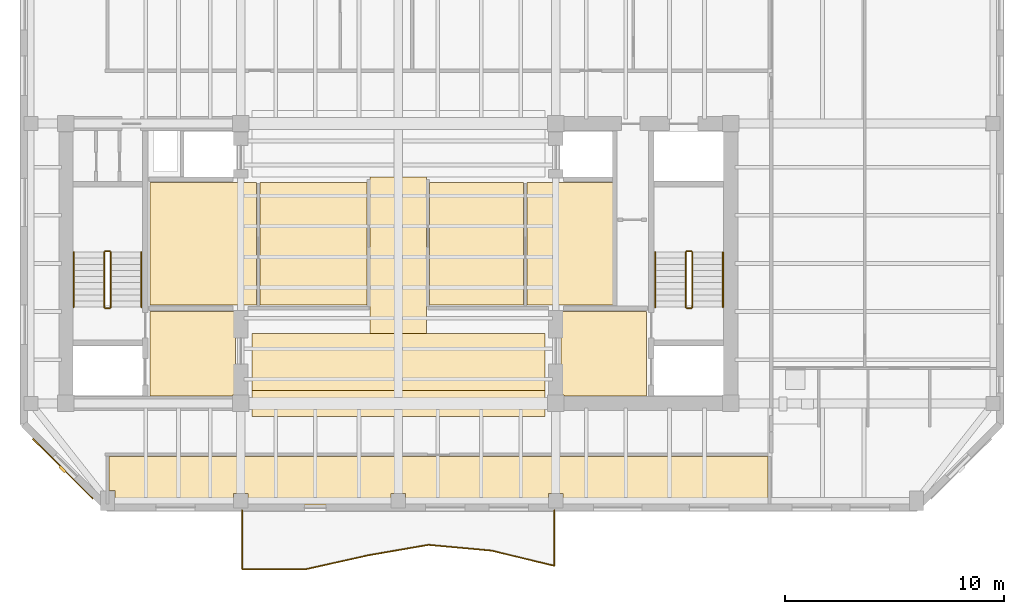
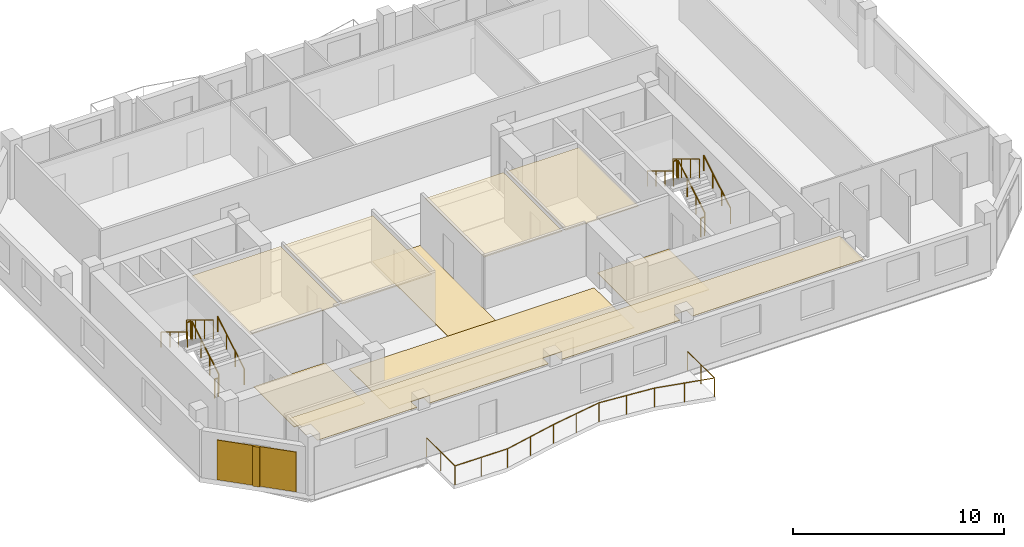
# One storey, part 7 of 9: 13 railings, 11 coverings, 1 shading device.
"""IFC4 building model written with IfcOpenShell, lengths in metres."""

from ifc_helpers import new_model, si_unit, direction, frame, origin, origin_2d, place, context, subcontext, project, spatial, polyline, rectangle, circle, outline, extrude, material, layer, layer_set, type_object, element, save


model = new_model("IFC4")

# Units and contexts
model_context = context("Model", 3, precision=1e-05, world=origin(), true_north=direction((0.0, 1.0)))
body_context = subcontext(model_context, "Body", "Model", "MODEL_VIEW")
ifc_project = project(units=[si_unit("LENGTHUNIT", "METRE"), si_unit("AREAUNIT", "SQUARE_METRE"), si_unit("VOLUMEUNIT", "CUBIC_METRE"), si_unit("PLANEANGLEUNIT", "RADIAN"), si_unit("MASSUNIT", "GRAM", prefix="KILO")], contexts=[model_context])

# Site, building, storey
site_placement = place(None, origin())
site = spatial("IfcSite", under=ifc_project, at=site_placement, CompositionType="ELEMENT")
building_placement = place(site_placement, origin())
building = spatial("IfcBuilding", under=site, at=building_placement, Name="Kranthara Brick Stack", CompositionType="ELEMENT")
storey_placement = place(building_placement, frame((0.0, 0.0, 255.10009765625)))
storey = spatial("IfcBuildingStorey", under=building, at=storey_placement, Name="L67", CompositionType="ELEMENT", Elevation=255.10009765625)

# Coverings
ifc_material_1 = material(Name="Perforated mineral-fibre acoustic ceiling tile", Category="other")
ifc_layer_1 = layer(ifc_material_1, 0.02490234375)
ifc_layer_set_1 = layer_set([ifc_layer_1], Name="Perforated mineral-fibre acoustic ceiling tile")
covering_type_1 = type_object("IfcCoveringType", Name="COV-CEIL-ACOUSTIC", PredefinedType="CEILING", material=ifc_layer_set_1)
covering_1_placement = place(storey_placement, frame((0.0, 0.0, 2.829833984375)))
element("IfcCovering", 1, at=covering_1_placement, inside=storey, type_object=covering_type_1, Name="L67 L67 Sky Club Archive Study Acoustic Ceiling", PredefinedType="CEILING", context=body_context, shape_type="SweptSolid", body=[
    extrude(outline(polyline([(21.52001953125, 25.300048828125), (21.52001953125, 30.89990234375), (16.64990234375, 30.89990234375), (16.64990234375, 25.300048828125), (21.52001953125, 25.300048828125)])), origin(), (0.0, 0.0, 1.0), 0.025146484375),
])
covering_2_placement = place(storey_placement, frame((0.0, 0.0, 2.829833984375)))
element("IfcCovering", 2, at=covering_2_placement, inside=storey, type_object=covering_type_1, Name="L67 L67 Sky Club Lounge Salon Acoustic Ceiling", PredefinedType="CEILING", context=body_context, shape_type="SweptSolid", body=[
    extrude(outline(polyline([(26.570068359375, 25.300048828125), (26.570068359375, 30.89990234375), (21.679931640625, 30.89990234375), (21.679931640625, 25.300048828125), (26.570068359375, 25.300048828125)])), origin(), (0.0, 0.0, 1.0), 0.025146484375),
])
covering_3_placement = place(storey_placement, frame((0.0, 0.0, 2.829833984375)))
element("IfcCovering", 3, at=covering_3_placement, inside=storey, type_object=covering_type_1, Name="L67 L67 Sky Club Sky Salon Acoustic Ceiling", PredefinedType="CEILING", context=body_context, shape_type="SweptSolid", body=[
    extrude(outline(polyline([(33.719970703125, 25.300048828125), (33.719970703125, 30.89990234375), (29.429931640625, 30.89990234375), (29.429931640625, 25.300048828125), (33.719970703125, 25.300048828125)])), origin(), (0.0, 0.0, 1.0), 0.025146484375),
])
covering_4_placement = place(storey_placement, frame((0.0, 0.0, 2.829833984375)))
element("IfcCovering", 4, at=covering_4_placement, inside=storey, type_object=covering_type_1, Name="L67 L67 Sky Club Wine Tasting Room Acoustic Ceiling", PredefinedType="CEILING", context=body_context, shape_type="SweptSolid", body=[
    extrude(outline(polyline([(37.8798828125, 25.300048828125), (37.8798828125, 30.89990234375), (33.8798828125, 30.89990234375), (33.8798828125, 25.300048828125), (37.8798828125, 25.300048828125)])), origin(), (0.0, 0.0, 1.0), 0.025146484375),
])
covering_5_placement = place(storey_placement, frame((0.0, 0.0, 2.829833984375)))
element("IfcCovering", 5, at=covering_5_placement, inside=storey, type_object=covering_type_1, Name="L67 L67 Sky Club Observation Lounge 1 Acoustic Ceiling", PredefinedType="CEILING", context=body_context, shape_type="SweptSolid", body=[
    extrude(outline(polyline([(35.534912109375, 16.14990234375), (35.534912109375, 16.68505859375), (34.864990234375, 16.68505859375), (34.864990234375, 16.14990234375), (28.3349609375, 16.14990234375), (28.3349609375, 16.68505859375), (27.6650390625, 16.68505859375), (27.6650390625, 16.14990234375), (21.135009765625, 16.14990234375), (21.135009765625, 16.68505859375), (20.465087890625, 16.68505859375), (20.465087890625, 16.14990234375), (15.034912109375, 16.14990234375), (15.034912109375, 16.81005859375), (14.780029296875, 16.81005859375), (14.780029296875, 18.3798828125), (44.89990234375, 18.3798828125), (44.89990234375, 16.14990234375), (35.534912109375, 16.14990234375)])), origin(), (0.0, 0.0, 1.0), 0.025146484375),
])
ifc_material_2 = material(Name="Warm buff kiln-fired brick slip rainscreen", Category="masonry")
ifc_layer_2 = layer(ifc_material_2, 0.044921875)
ifc_layer_set_2 = layer_set([ifc_layer_2], Name="Warm buff kiln-fired brick slip rainscreen")
covering_type_2 = type_object("IfcCoveringType", Name="COV-CLAD-BRICK", PredefinedType="CLADDING", material=ifc_layer_set_2)
covering_6_placement = place(storey_placement, frame((12.66259765625, 17.812744140625, 0.0498046875), z_axis=(0.0, 0.0, 1.0), x_axis=(-0.707106781187, 0.707106781187, 0.0)))
element("IfcCovering", 6, at=covering_6_placement, inside=storey, type_object=covering_type_2, Name="L67 Chamfer Brick Rainscreen Cladding SW", PredefinedType="CLADDING", context=body_context, shape_type="SweptSolid", body=[
    extrude(rectangle(XDim=3.889892578125, YDim=0.044921875, at=origin_2d()), origin(), (0.0, 0.0, 1.0), 2.300048828125),
])
ifc_material_3 = material(Name="Honed terrazzo and porcelain floor finish", Category="stone")
ifc_layer_3 = layer(ifc_material_3, 0.030029296875)
ifc_layer_set_3 = layer_set([ifc_layer_3], Name="Honed terrazzo and porcelain floor finish")
covering_type_3 = type_object("IfcCoveringType", Name="COV-FLOR-STONE", PredefinedType="FLOORING", material=ifc_layer_set_3)
covering_7_placement = place(storey_placement, origin())
element("IfcCovering", 7, at=covering_7_placement, inside=storey, type_object=covering_type_3, Name="L67 Lift Lobby Stone Flooring", PredefinedType="FLOORING", context=body_context, shape_type="SweptSolid", body=[
    extrude(outline(polyline([(16.64990234375, 21.14990234375), (16.64990234375, 25.0), (20.550048828125, 25.0), (20.550048828125, 21.18505859375), (20.4150390625, 21.18505859375), (20.4150390625, 21.14990234375), (16.64990234375, 21.14990234375)])), origin(), (0.0, 0.0, 1.0), 0.02978515625),
])
covering_8_placement = place(storey_placement, origin())
element("IfcCovering", 8, at=covering_8_placement, inside=storey, type_object=covering_type_3, Name="L67 Lift Lobby Stone Flooring", PredefinedType="FLOORING", context=body_context, shape_type="SweptSolid", body=[
    extrude(outline(polyline([(35.449951171875, 25.0), (39.35009765625, 25.0), (39.35009765625, 21.14990234375), (35.5849609375, 21.14990234375), (35.5849609375, 21.18505859375), (35.449951171875, 21.18505859375), (35.449951171875, 25.0)])), origin(), (0.0, 0.0, 1.0), 0.02978515625),
])
covering_9_placement = place(storey_placement, origin())
element("IfcCovering", 9, at=covering_9_placement, inside=storey, type_object=covering_type_3, Name="L67 Lift Lobby Stone Flooring", PredefinedType="FLOORING", context=body_context, shape_type="SweptSolid", body=[
    extrude(outline(polyline([(34.699951171875, 21.39990234375), (34.699951171875, 24.0), (21.300048828125, 24.0), (21.300048828125, 21.39990234375), (34.699951171875, 21.39990234375)])), origin(), (0.0, 0.0, 1.0), 0.02978515625),
])
covering_10_placement = place(storey_placement, origin())
element("IfcCovering", 10, at=covering_10_placement, inside=storey, type_object=covering_type_3, Name="L67 Lift Lobby Stone Flooring", PredefinedType="FLOORING", context=body_context, shape_type="SweptSolid", body=[
    extrude(outline(polyline([(29.300048828125, 24.0), (26.699951171875, 24.0), (26.699951171875, 31.14990234375), (29.300048828125, 31.14990234375), (29.300048828125, 24.0)])), origin(), (0.0, 0.0, 1.0), 0.02978515625),
])
covering_11_placement = place(storey_placement, origin())
element("IfcCovering", 11, at=covering_11_placement, inside=storey, type_object=covering_type_3, Name="L67 Lift Lobby Stone Flooring", PredefinedType="FLOORING", context=body_context, shape_type="SweptSolid", body=[
    extrude(outline(polyline([(34.699951171875, 20.199951171875), (21.300048828125, 20.199951171875), (21.300048828125, 21.39990234375), (34.699951171875, 21.39990234375), (34.699951171875, 20.199951171875)])), origin(), (0.0, 0.0, 1.0), 0.02978515625),
])

# Railings
ifc_material_4 = material(Name="Bronze anodised aluminium and laminated glass balustrade", Category="aluminium")
railing_type_1 = type_object("IfcRailingType", Name="RL-BALC-1120", PredefinedType="BALUSTRADE", material=ifc_material_4)
railing_1_placement = place(storey_placement, frame((35.139892578125, 15.909912109375, 0.0)))
element("IfcRailing", 12, at=railing_1_placement, inside=storey, type_object=railing_type_1, Name="L67 South Rippling Balcony Balustrade", PredefinedType="BALUSTRADE", context=body_context, shape_type="SweptSolid", body=[
    extrude(circle(Radius=0.02392578125, at=origin_2d()), frame((0.0, 0.0, 1.09619140625), z_axis=(0.000192474253, -0.999999981477, 0.0), x_axis=(0.999999981477, 0.000192474253, 0.0)), (0.0, 0.0, 1.0), 2.536865234375),
    extrude(circle(Radius=0.02392578125, at=origin_2d()), frame((0.00048828125, -2.536865234375, 1.09619140625), z_axis=(-0.972040720521, 0.234812345608, 0.0), x_axis=(-0.234812345608, -0.972040720521, 0.0)), (0.0, 0.0, 1.0), 2.963134765625),
    extrude(circle(Radius=0.02392578125, at=origin_2d()), frame((-2.8798828125, -1.841064453125, 1.09619140625), z_axis=(-0.995827206472, 0.091258834367, 0.0), x_axis=(-0.091258834367, -0.995827206472, 0.0)), (0.0, 0.0, 1.0), 2.891845703125),
    extrude(circle(Radius=0.02392578125, at=origin_2d()), frame((-5.759765625, -1.5771484375, 1.09619140625), z_axis=(-0.985265394776, -0.171032458489, 0.0), x_axis=(0.171032458489, -0.985265394776, 0.0)), (0.0, 0.0, 1.0), 2.803466796875),
    extrude(circle(Radius=0.02392578125, at=origin_2d()), frame((-8.52197265625, -2.056640625, 1.09619140625), z_axis=(-0.975943086795, -0.218025437364, 0.0), x_axis=(0.218025437364, -0.975943086795, 0.0)), (0.0, 0.0, 1.0), 2.95068359375),
    extrude(circle(Radius=0.02392578125, at=origin_2d()), frame((-11.401611328125, -2.699951171875, 1.09619140625), z_axis=(-0.999981359914, 0.006105720651, 0.0), x_axis=(-0.006105720651, -0.999981359914, 0.0)), (0.0, 0.0, 1.0), 2.87890625),
    extrude(circle(Radius=0.02392578125, at=origin_2d()), frame((-14.280517578125, -2.682373046875, 1.09619140625), z_axis=(0.000273049958, 0.999999962722, 0.0), x_axis=(-0.999999962722, 0.000273049958, 0.0)), (0.0, 0.0, 1.0), 2.682373046875),
    extrude(circle(Radius=0.02099609375, at=origin_2d()), origin(), (0.0, 0.0, 1.0), 1.072021484375),
    extrude(circle(Radius=0.02099609375, at=origin_2d()), frame((0.000244140625, -1.2685546875, 0.0)), (0.0, 0.0, 1.0), 1.072021484375),
    extrude(circle(Radius=0.02099609375, at=origin_2d()), frame((0.00048828125, -2.536865234375, 0.0)), (0.0, 0.0, 1.0), 1.072021484375),
    extrude(circle(Radius=0.02099609375, at=origin_2d()), frame((-1.439697265625, -2.18896484375, 0.0)), (0.0, 0.0, 1.0), 1.072021484375),
    extrude(circle(Radius=0.02099609375, at=origin_2d()), frame((-2.8798828125, -1.841064453125, 0.0)), (0.0, 0.0, 1.0), 1.072021484375),
    extrude(circle(Radius=0.02099609375, at=origin_2d()), frame((-4.31982421875, -1.708984375, 0.0)), (0.0, 0.0, 1.0), 1.072021484375),
    extrude(circle(Radius=0.02099609375, at=origin_2d()), frame((-5.759765625, -1.5771484375, 0.0)), (0.0, 0.0, 1.0), 1.072021484375),
    extrude(circle(Radius=0.02099609375, at=origin_2d()), frame((-7.140869140625, -1.81689453125, 0.0)), (0.0, 0.0, 1.0), 1.072021484375),
    extrude(circle(Radius=0.02099609375, at=origin_2d()), frame((-8.52197265625, -2.056640625, 0.0)), (0.0, 0.0, 1.0), 1.072021484375),
    extrude(circle(Radius=0.02099609375, at=origin_2d()), frame((-9.9619140625, -2.37841796875, 0.0)), (0.0, 0.0, 1.0), 1.072021484375),
    extrude(circle(Radius=0.02099609375, at=origin_2d()), frame((-11.401611328125, -2.699951171875, 0.0)), (0.0, 0.0, 1.0), 1.072021484375),
    extrude(circle(Radius=0.02099609375, at=origin_2d()), frame((-12.841064453125, -2.691162109375, 0.0)), (0.0, 0.0, 1.0), 1.072021484375),
    extrude(circle(Radius=0.02099609375, at=origin_2d()), frame((-14.280517578125, -2.682373046875, 0.0)), (0.0, 0.0, 1.0), 1.072021484375),
    extrude(circle(Radius=0.02099609375, at=origin_2d()), frame((-14.2802734375, -1.34130859375, 0.0)), (0.0, 0.0, 1.0), 1.072021484375),
    extrude(circle(Radius=0.02099609375, at=origin_2d()), frame((-14.27978515625, 0.0, 0.0)), (0.0, 0.0, 1.0), 1.072021484375),
])
ifc_material_5 = material(Name="Painted galvanized steel stair guardrail", Category="steel")
railing_type_2 = type_object("IfcRailingType", Name="RL-STAIR-GUARD-1100", PredefinedType="GUARDRAIL", material=ifc_material_5)
railing_2_placement = place(storey_placement, frame((14.85009765625, 25.199951171875, 0.169921875)))
element("IfcRailing", 13, at=railing_2_placement, inside=storey, type_object=railing_type_2, Name="L67 ST01 stair guard 1", PredefinedType="GUARDRAIL", context=body_context, shape_type="SweptSolid", body=[
    extrude(circle(Radius=0.02392578125, at=origin_2d()), frame((0.0, 0.0, 1.076171875), z_axis=(0.0, 0.85478489116, 0.518982456201), x_axis=(-1.0, 0.0, 0.0)), (0.0, 0.0, 1.0), 2.9482421875),
    extrude(circle(Radius=0.02099609375, at=origin_2d()), origin(), (0.0, 0.0, 1.0), 1.052001953125),
    extrude(circle(Radius=0.02099609375, at=origin_2d()), frame((0.0, 0.840087890625, 0.510009765625)), (0.0, 0.0, 1.0), 1.052001953125),
    extrude(circle(Radius=0.02099609375, at=origin_2d()), frame((0.0, 1.679931640625, 1.02001953125)), (0.0, 0.0, 1.0), 1.052001953125),
    extrude(circle(Radius=0.02099609375, at=origin_2d()), frame((0.0, 2.52001953125, 1.530029296875)), (0.0, 0.0, 1.0), 1.052001953125),
])
railing_3_placement = place(storey_placement, frame((14.800048828125, 27.77001953125, 1.699951171875)))
element("IfcRailing", 14, at=railing_3_placement, inside=storey, type_object=railing_type_2, Name="L67 ST01 stair guard 2", PredefinedType="GUARDRAIL", context=body_context, shape_type="SweptSolid", body=[
    extrude(circle(Radius=0.02392578125, at=origin_2d()), frame((0.0, 0.0, 1.076171875), z_axis=(-1.0, 0.0, 0.0), x_axis=(0.0, -1.0, 0.0)), (0.0, 0.0, 1.0), 0.199951171875),
    extrude(circle(Radius=0.02099609375, at=origin_2d()), origin(), (0.0, 0.0, 1.0), 1.052001953125),
    extrude(circle(Radius=0.02099609375, at=origin_2d()), frame((-0.199951171875, 0.0, 0.0)), (0.0, 0.0, 1.0), 1.052001953125),
])
railing_4_placement = place(storey_placement, frame((14.550048828125, 27.719970703125, 1.869873046875)))
element("IfcRailing", 15, at=railing_4_placement, inside=storey, type_object=railing_type_2, Name="L67 ST01 stair guard 3", PredefinedType="GUARDRAIL", context=body_context, shape_type="SweptSolid", body=[
    extrude(circle(Radius=0.02392578125, at=origin_2d()), frame((0.0, 0.0, 1.076171875), z_axis=(0.0, -0.85478489116, 0.518982456201), x_axis=(1.0, 0.0, 0.0)), (0.0, 0.0, 1.0), 2.9482421875),
    extrude(circle(Radius=0.02099609375, at=origin_2d()), origin(), (0.0, 0.0, 1.0), 1.052001953125),
    extrude(circle(Radius=0.02099609375, at=origin_2d()), frame((0.0, -0.840087890625, 0.510009765625)), (0.0, 0.0, 1.0), 1.052001953125),
    extrude(circle(Radius=0.02099609375, at=origin_2d()), frame((0.0, -1.679931640625, 1.02001953125)), (0.0, 0.0, 1.0), 1.052001953125),
    extrude(circle(Radius=0.02099609375, at=origin_2d()), frame((0.0, -2.52001953125, 1.530029296875)), (0.0, 0.0, 1.0), 1.052001953125),
])
railing_5_placement = place(storey_placement, frame((14.800048828125, 25.14990234375, 0.0)))
element("IfcRailing", 16, at=railing_5_placement, inside=storey, type_object=railing_type_2, Name="L67 ST01 stair guard 4", PredefinedType="GUARDRAIL", context=body_context, shape_type="SweptSolid", body=[
    extrude(circle(Radius=0.02392578125, at=origin_2d()), frame((0.0, 0.0, 1.076171875), z_axis=(-1.0, 0.0, 0.0), x_axis=(0.0, -1.0, 0.0)), (0.0, 0.0, 1.0), 0.199951171875),
    extrude(circle(Radius=0.02099609375, at=origin_2d()), origin(), (0.0, 0.0, 1.0), 1.052001953125),
    extrude(circle(Radius=0.02099609375, at=origin_2d()), frame((-0.199951171875, 0.0, 0.0)), (0.0, 0.0, 1.0), 1.052001953125),
])
railing_6_placement = place(storey_placement, frame((41.449951171875, 25.199951171875, 0.169921875)))
element("IfcRailing", 17, at=railing_6_placement, inside=storey, type_object=railing_type_2, Name="L67 ST02 stair guard 1", PredefinedType="GUARDRAIL", context=body_context, shape_type="SweptSolid", body=[
    extrude(circle(Radius=0.02392578125, at=origin_2d()), frame((0.0, 0.0, 1.076171875), z_axis=(0.0, 0.85478489116, 0.518982456201), x_axis=(-1.0, 0.0, 0.0)), (0.0, 0.0, 1.0), 2.9482421875),
    extrude(circle(Radius=0.02099609375, at=origin_2d()), origin(), (0.0, 0.0, 1.0), 1.052001953125),
    extrude(circle(Radius=0.02099609375, at=origin_2d()), frame((0.0, 0.840087890625, 0.510009765625)), (0.0, 0.0, 1.0), 1.052001953125),
    extrude(circle(Radius=0.02099609375, at=origin_2d()), frame((0.0, 1.679931640625, 1.02001953125)), (0.0, 0.0, 1.0), 1.052001953125),
    extrude(circle(Radius=0.02099609375, at=origin_2d()), frame((0.0, 2.52001953125, 1.530029296875)), (0.0, 0.0, 1.0), 1.052001953125),
])
railing_7_placement = place(storey_placement, frame((41.39990234375, 27.77001953125, 1.699951171875)))
element("IfcRailing", 18, at=railing_7_placement, inside=storey, type_object=railing_type_2, Name="L67 ST02 stair guard 2", PredefinedType="GUARDRAIL", context=body_context, shape_type="SweptSolid", body=[
    extrude(circle(Radius=0.02392578125, at=origin_2d()), frame((0.0, 0.0, 1.076171875), z_axis=(-1.0, 0.0, 0.0), x_axis=(0.0, -1.0, 0.0)), (0.0, 0.0, 1.0), 0.199951171875),
    extrude(circle(Radius=0.02099609375, at=origin_2d()), origin(), (0.0, 0.0, 1.0), 1.052001953125),
    extrude(circle(Radius=0.02099609375, at=origin_2d()), frame((-0.199951171875, 0.0, 0.0)), (0.0, 0.0, 1.0), 1.052001953125),
])
railing_8_placement = place(storey_placement, frame((41.14990234375, 27.719970703125, 1.869873046875)))
element("IfcRailing", 19, at=railing_8_placement, inside=storey, type_object=railing_type_2, Name="L67 ST02 stair guard 3", PredefinedType="GUARDRAIL", context=body_context, shape_type="SweptSolid", body=[
    extrude(circle(Radius=0.02392578125, at=origin_2d()), frame((0.0, 0.0, 1.076171875), z_axis=(0.0, -0.85478489116, 0.518982456201), x_axis=(1.0, 0.0, 0.0)), (0.0, 0.0, 1.0), 2.9482421875),
    extrude(circle(Radius=0.02099609375, at=origin_2d()), origin(), (0.0, 0.0, 1.0), 1.052001953125),
    extrude(circle(Radius=0.02099609375, at=origin_2d()), frame((0.0, -0.840087890625, 0.510009765625)), (0.0, 0.0, 1.0), 1.052001953125),
    extrude(circle(Radius=0.02099609375, at=origin_2d()), frame((0.0, -1.679931640625, 1.02001953125)), (0.0, 0.0, 1.0), 1.052001953125),
    extrude(circle(Radius=0.02099609375, at=origin_2d()), frame((0.0, -2.52001953125, 1.530029296875)), (0.0, 0.0, 1.0), 1.052001953125),
])
railing_9_placement = place(storey_placement, frame((41.39990234375, 25.14990234375, 0.0)))
element("IfcRailing", 20, at=railing_9_placement, inside=storey, type_object=railing_type_2, Name="L67 ST02 stair guard 4", PredefinedType="GUARDRAIL", context=body_context, shape_type="SweptSolid", body=[
    extrude(circle(Radius=0.02392578125, at=origin_2d()), frame((0.0, 0.0, 1.076171875), z_axis=(-1.0, 0.0, 0.0), x_axis=(0.0, -1.0, 0.0)), (0.0, 0.0, 1.0), 0.199951171875),
    extrude(circle(Radius=0.02099609375, at=origin_2d()), origin(), (0.0, 0.0, 1.0), 1.052001953125),
    extrude(circle(Radius=0.02099609375, at=origin_2d()), frame((-0.199951171875, 0.0, 0.0)), (0.0, 0.0, 1.0), 1.052001953125),
])
ifc_material_6 = material(Name="Brushed stainless steel tubular handrail", Category="steel")
railing_type_3 = type_object("IfcRailingType", Name="RL-STAIR-HAND-900", PredefinedType="HANDRAIL", material=ifc_material_6)
railing_10_placement = place(storey_placement, frame((16.25, 25.199951171875, 0.169921875)))
element("IfcRailing", 21, at=railing_10_placement, inside=storey, type_object=railing_type_3, Name="L67 ST01 stair handrail 1", PredefinedType="HANDRAIL", context=body_context, shape_type="SweptSolid", body=[
    extrude(circle(Radius=0.02392578125, at=origin_2d()), frame((0.0, 0.0, 0.8759765625), z_axis=(0.0, 0.85478489116, 0.518982456201), x_axis=(-1.0, 0.0, 0.0)), (0.0, 0.0, 1.0), 2.9482421875),
    extrude(circle(Radius=0.02099609375, at=origin_2d()), origin(), (0.0, 0.0, 1.0), 0.851806640625),
    extrude(circle(Radius=0.02099609375, at=origin_2d()), frame((0.0, 0.840087890625, 0.510009765625)), (0.0, 0.0, 1.0), 0.851806640625),
    extrude(circle(Radius=0.02099609375, at=origin_2d()), frame((0.0, 1.679931640625, 1.02001953125)), (0.0, 0.0, 1.0), 0.851806640625),
    extrude(circle(Radius=0.02099609375, at=origin_2d()), frame((0.0, 2.52001953125, 1.530029296875)), (0.0, 0.0, 1.0), 0.851806640625),
])
railing_11_placement = place(storey_placement, frame((13.14990234375, 27.719970703125, 1.869873046875)))
element("IfcRailing", 22, at=railing_11_placement, inside=storey, type_object=railing_type_3, Name="L67 ST01 stair handrail 2", PredefinedType="HANDRAIL", context=body_context, shape_type="SweptSolid", body=[
    extrude(circle(Radius=0.02392578125, at=origin_2d()), frame((0.0, 0.0, 0.8759765625), z_axis=(0.0, -0.85478489116, 0.518982456201), x_axis=(1.0, 0.0, 0.0)), (0.0, 0.0, 1.0), 2.9482421875),
    extrude(circle(Radius=0.02099609375, at=origin_2d()), origin(), (0.0, 0.0, 1.0), 0.851806640625),
    extrude(circle(Radius=0.02099609375, at=origin_2d()), frame((0.0, -0.840087890625, 0.510009765625)), (0.0, 0.0, 1.0), 0.851806640625),
    extrude(circle(Radius=0.02099609375, at=origin_2d()), frame((0.0, -1.679931640625, 1.02001953125)), (0.0, 0.0, 1.0), 0.851806640625),
    extrude(circle(Radius=0.02099609375, at=origin_2d()), frame((0.0, -2.52001953125, 1.530029296875)), (0.0, 0.0, 1.0), 0.851806640625),
])
railing_12_placement = place(storey_placement, frame((42.85009765625, 25.199951171875, 0.169921875)))
element("IfcRailing", 23, at=railing_12_placement, inside=storey, type_object=railing_type_3, Name="L67 ST02 stair handrail 1", PredefinedType="HANDRAIL", context=body_context, shape_type="SweptSolid", body=[
    extrude(circle(Radius=0.02392578125, at=origin_2d()), frame((0.0, 0.0, 0.8759765625), z_axis=(0.0, 0.85478489116, 0.518982456201), x_axis=(-1.0, 0.0, 0.0)), (0.0, 0.0, 1.0), 2.9482421875),
    extrude(circle(Radius=0.02099609375, at=origin_2d()), origin(), (0.0, 0.0, 1.0), 0.851806640625),
    extrude(circle(Radius=0.02099609375, at=origin_2d()), frame((0.0, 0.840087890625, 0.510009765625)), (0.0, 0.0, 1.0), 0.851806640625),
    extrude(circle(Radius=0.02099609375, at=origin_2d()), frame((0.0, 1.679931640625, 1.02001953125)), (0.0, 0.0, 1.0), 0.851806640625),
    extrude(circle(Radius=0.02099609375, at=origin_2d()), frame((0.0, 2.52001953125, 1.530029296875)), (0.0, 0.0, 1.0), 0.851806640625),
])
railing_13_placement = place(storey_placement, frame((39.75, 27.719970703125, 1.869873046875)))
element("IfcRailing", 24, at=railing_13_placement, inside=storey, type_object=railing_type_3, Name="L67 ST02 stair handrail 2", PredefinedType="HANDRAIL", context=body_context, shape_type="SweptSolid", body=[
    extrude(circle(Radius=0.02392578125, at=origin_2d()), frame((0.0, 0.0, 0.8759765625), z_axis=(0.0, -0.85478489116, 0.518982456201), x_axis=(1.0, 0.0, 0.0)), (0.0, 0.0, 1.0), 2.9482421875),
    extrude(circle(Radius=0.02099609375, at=origin_2d()), origin(), (0.0, 0.0, 1.0), 0.851806640625),
    extrude(circle(Radius=0.02099609375, at=origin_2d()), frame((0.0, -0.840087890625, 0.510009765625)), (0.0, 0.0, 1.0), 0.851806640625),
    extrude(circle(Radius=0.02099609375, at=origin_2d()), frame((0.0, -1.679931640625, 1.02001953125)), (0.0, 0.0, 1.0), 0.851806640625),
    extrude(circle(Radius=0.02099609375, at=origin_2d()), frame((0.0, -2.52001953125, 1.530029296875)), (0.0, 0.0, 1.0), 0.851806640625),
])

# Shading device
ifc_material_7 = material(Name="Kiln-fired terracotta aerodynamic wind fin", Category="masonry")
shading_device_type = type_object("IfcShadingDeviceType", Name="SHD-BAFFLE-CORNER", PredefinedType="SHUTTER", material=ifc_material_7)
shading_device_placement = place(storey_placement, frame((12.6416015625, 17.79150390625, 0.0498046875), z_axis=(0.0, 0.0, 1.0), x_axis=(-0.707106781187, 0.707106781187, 0.0)))
element("IfcShadingDevice", 25, at=shading_device_placement, inside=storey, type_object=shading_device_type, Name="L67 Chamfer Wind-Baffle Fin SW", PredefinedType="SHUTTER", context=body_context, shape_type="SweptSolid", body=[
    extrude(rectangle(XDim=0.35009765625, YDim=0.1201171875, at=origin_2d()), origin(), (0.0, 0.0, 1.0), 2.300048828125),
])

save(model, "model.ifc")
